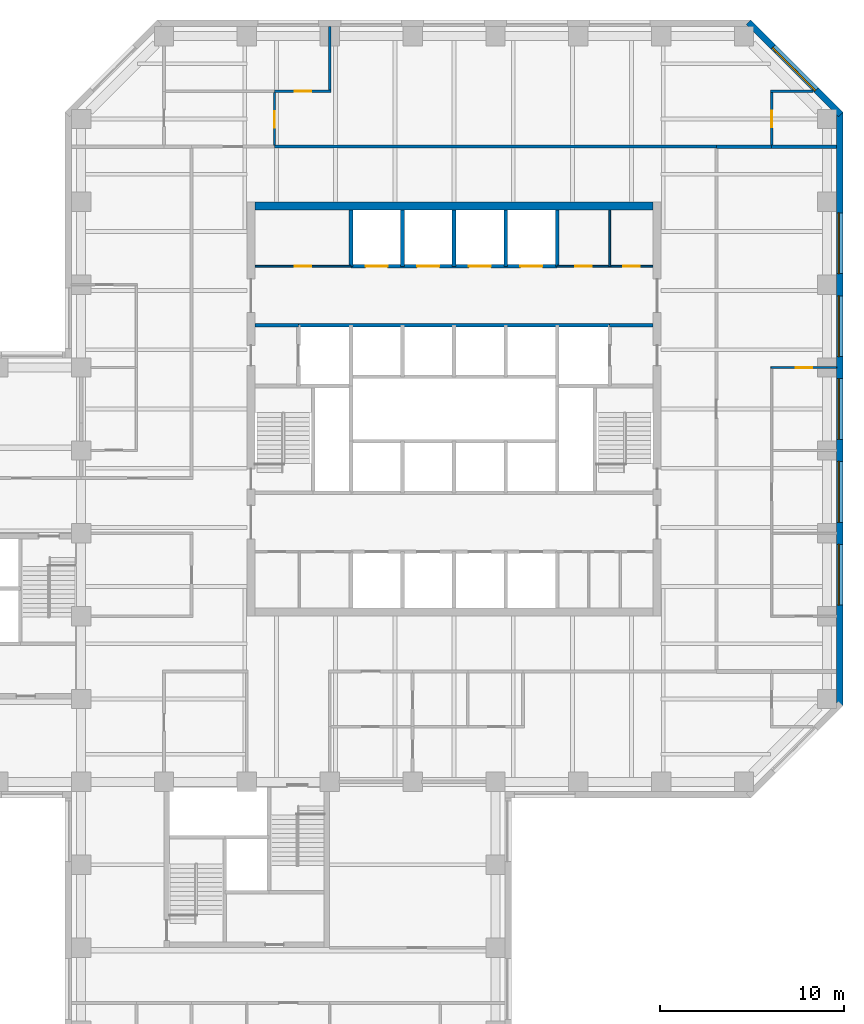
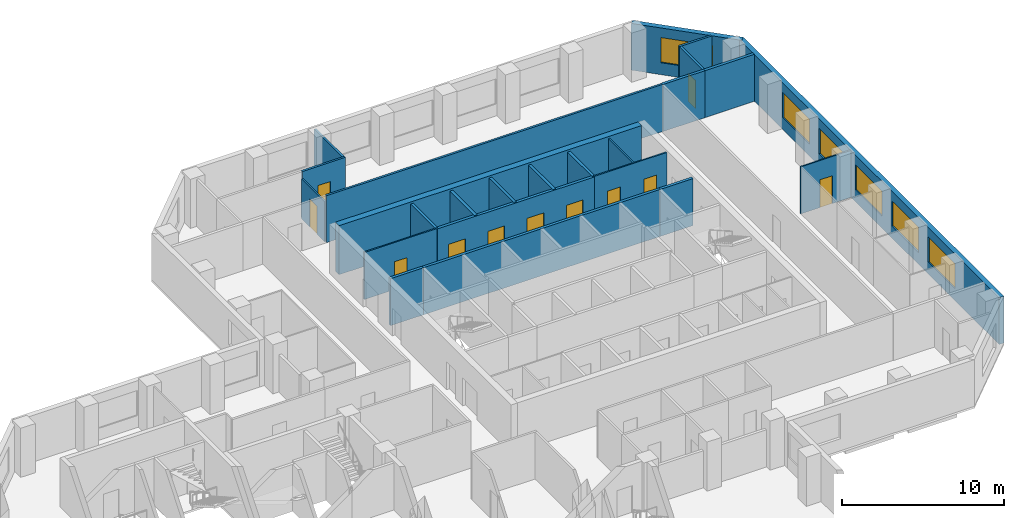
# One storey, part 8 of 10: 24 walls, 11 doors, 6 windows, 17 openings.
"""IFC4 building model written with IfcOpenShell, lengths in metres."""

from ifc_helpers import new_model, si_unit, direction, frame, frame_2d, origin, place, context, subcontext, project, spatial, rectangle, extrude, material, layer, layer_set, constituent, constituent_set, type_object, element, fill, save


model = new_model("IFC4")

# Units and contexts
model_context = context("Model", 3, precision=1e-05, world=origin(), true_north=direction((0.0, 1.0)))
body_context = subcontext(model_context, "Body", "Model", "MODEL_VIEW")
ifc_project = project(units=[si_unit("LENGTHUNIT", "METRE"), si_unit("AREAUNIT", "SQUARE_METRE"), si_unit("VOLUMEUNIT", "CUBIC_METRE"), si_unit("PLANEANGLEUNIT", "RADIAN"), si_unit("MASSUNIT", "GRAM", prefix="KILO")], contexts=[model_context])

# Site, building, storey
site_placement = place(None, origin())
site = spatial("IfcSite", under=ifc_project, at=site_placement, CompositionType="ELEMENT")
building_placement = place(site_placement, origin())
building = spatial("IfcBuilding", under=site, at=building_placement, Name="Quoin Convention Tower", CompositionType="ELEMENT")
storey_placement = place(building_placement, frame((0.0, 0.0, 86.300048828125)))
storey = spatial("IfcBuildingStorey", under=building, at=storey_placement, Name="L22", CompositionType="ELEMENT", Elevation=86.300048828125)

# Wall, opening, door
ifc_material_1 = material(Name="Plasterboard")
ifc_layer_1 = layer(ifc_material_1, 0.012451171875, Name="Finish")
ifc_material_2 = material(Name="Steel stud framing", Category="steel")
ifc_layer_2 = layer(ifc_material_2, 0.125, Name="Structure")
ifc_layer_3 = layer(ifc_material_1, 0.012451171875, Name="Finish")
ifc_layer_set_1 = layer_set([ifc_layer_1, ifc_layer_2, ifc_layer_3], Name="Steel stud framing")
wall_type_1 = type_object("IfcWallType", Name="Acoustic partition 150", PredefinedType="PARTITIONING", material=ifc_layer_set_1)
wall_1_placement = place(storey_placement, frame((46.5, 78.0, 0.0), z_axis=(0.0, 0.0, 1.0), x_axis=(1.0, 0.0, 0.0)))
wall_1 = element("IfcWall", 1, at=wall_1_placement, inside=storey, type_object=wall_type_1, Name="pw-L22-055", PredefinedType="PARTITIONING", context=body_context, shape_type="SweptSolid", body=[
    extrude(rectangle(XDim=3.074951171875, YDim=0.14990234375, at=frame_2d((1.53759765625, 0.0))), origin(), (0.0, 0.0, 1.0), 3.550048828125),
])
opening_1_placement = place(wall_1_placement, frame((1.10009765625, 0.0, 0.0)))
opening_1 = element("IfcOpeningElement", 2, at=opening_1_placement, cuts=wall_1, Name="Opening DOL2-18", PredefinedType="OPENING", context=body_context, shape_type="SweptSolid", body=[
    extrude(rectangle(XDim=0.89990234375, YDim=2.10009765625, at=frame_2d((0.449951171875, 1.050048828125))), frame((0.0, 0.0849609375, 0.0), z_axis=(0.0, -1.0, 0.0), x_axis=(1.0, 0.0, 0.0)), (0.0, 0.0, 1.0), 0.169921875),
])
ifc_material_3 = material(Name="Steel door leaf", Category="steel")
door_type_1 = type_object("IfcDoorType", Name="Office door 900 x 2100", OperationType="SINGLE_SWING_RIGHT", PredefinedType="DOOR", material=ifc_material_3)
door_1_placement = place(opening_1_placement, frame((0.89990234375, 0.0, 0.0), z_axis=(0.0, 0.0, 1.0), x_axis=(-1.0, 0.0, 0.0)))
door_1 = element("IfcDoor", 3, at=door_1_placement, inside=storey, type_object=door_type_1, Name="dr-L22-35", OperationType="SINGLE_SWING_LEFT", OverallHeight=2.10009765625, OverallWidth=0.89990234375, PredefinedType="DOOR", context=body_context, shape_type="SweptSolid", body=[
    extrude(rectangle(XDim=0.89990234375, YDim=2.10009765625, at=frame_2d((0.449951171875, 1.050048828125))), frame((0.0, 0.02490234375, 0.0), z_axis=(0.0, -1.0, 0.0), x_axis=(1.0, 0.0, 0.0)), (0.0, 0.0, 1.0), 0.050048828125),
])
fill(opening_1, door_1)

# Wall
wall_2_placement = place(storey_placement, frame((49.5, 78.074951171875, 0.0), z_axis=(0.0, 0.0, 1.0), x_axis=(0.0, 1.0, 0.0)))
element("IfcWall", 4, at=wall_2_placement, inside=storey, type_object=wall_type_1, Name="pw-L22-103", PredefinedType="PARTITIONING", context=body_context, shape_type="SweptSolid", body=[
    extrude(rectangle(XDim=3.449951171875, YDim=0.14990234375, at=frame_2d((1.72509765625, 0.0))), origin(), (0.0, 0.0, 1.0), 3.550048828125),
])

# Wall, openings, windows
ifc_material_4 = material(Name="Brick masonry", Category="masonry")
ifc_layer_4 = layer(ifc_material_4, 0.35009765625)
ifc_layer_set_2 = layer_set([ifc_layer_4], Name="Brick masonry")
wall_type_2 = type_object("IfcWallType", Name="Brick facade wall", PredefinedType="STANDARD", material=ifc_layer_set_2)
wall_3_placement = place(storey_placement, frame((77.199951171875, 44.6376953125, 0.0), z_axis=(0.0, 0.0, 1.0), x_axis=(0.0, 1.0, 0.0)))
wall_3 = element("IfcWall", 5, at=wall_3_placement, inside=storey, type_object=wall_type_2, Name="fw-L22-76500_45000", PredefinedType="STANDARD", context=body_context, shape_type="SweptSolid", body=[
    extrude(rectangle(XDim=32.224609375, YDim=0.35009765625, at=frame_2d((16.1123046875, 0.0))), origin(), (0.0, 0.0, 1.0), 3.52490234375),
])
opening_2_placement = place(wall_3_placement, frame((5.46240234375, 0.0, 0.89990234375)))
opening_2 = element("IfcOpeningElement", 6, at=opening_2_placement, cuts=wall_3, Name="Opening W-02", PredefinedType="OPENING", context=body_context, shape_type="SweptSolid", body=[
    extrude(rectangle(XDim=3.300048828125, YDim=1.89990234375, at=frame_2d((1.64990234375, 0.949951171875))), frame((0.0, 0.18505859375, 0.0), z_axis=(0.0, -1.0, 0.0), x_axis=(1.0, 0.0, 0.0)), (0.0, 0.0, 1.0), 0.3701171875),
])
opening_3_placement = place(wall_3_placement, frame((9.96240234375, 0.0, 0.89990234375)))
opening_3 = element("IfcOpeningElement", 7, at=opening_3_placement, cuts=wall_3, Name="Opening W-02", PredefinedType="OPENING", context=body_context, shape_type="SweptSolid", body=[
    extrude(rectangle(XDim=3.300048828125, YDim=1.89990234375, at=frame_2d((1.64990234375, 0.949951171875))), frame((0.0, 0.18505859375, 0.0), z_axis=(0.0, -1.0, 0.0), x_axis=(1.0, 0.0, 0.0)), (0.0, 0.0, 1.0), 0.3701171875),
])
opening_4_placement = place(wall_3_placement, frame((14.46240234375, 0.0, 0.89990234375)))
opening_4 = element("IfcOpeningElement", 8, at=opening_4_placement, cuts=wall_3, Name="Opening W-02", PredefinedType="OPENING", context=body_context, shape_type="SweptSolid", body=[
    extrude(rectangle(XDim=3.300048828125, YDim=1.89990234375, at=frame_2d((1.64990234375, 0.949951171875))), frame((0.0, 0.18505859375, 0.0), z_axis=(0.0, -1.0, 0.0), x_axis=(1.0, 0.0, 0.0)), (0.0, 0.0, 1.0), 0.3701171875),
])
opening_5_placement = place(wall_3_placement, frame((18.96240234375, 0.0, 0.89990234375)))
opening_5 = element("IfcOpeningElement", 9, at=opening_5_placement, cuts=wall_3, Name="Opening W-02", PredefinedType="OPENING", context=body_context, shape_type="SweptSolid", body=[
    extrude(rectangle(XDim=3.300048828125, YDim=1.89990234375, at=frame_2d((1.64990234375, 0.949951171875))), frame((0.0, 0.18505859375, 0.0), z_axis=(0.0, -1.0, 0.0), x_axis=(1.0, 0.0, 0.0)), (0.0, 0.0, 1.0), 0.3701171875),
])
opening_6_placement = place(wall_3_placement, frame((23.46240234375, 0.0, 0.89990234375)))
opening_6 = element("IfcOpeningElement", 10, at=opening_6_placement, cuts=wall_3, Name="Opening W-02", PredefinedType="OPENING", context=body_context, shape_type="SweptSolid", body=[
    extrude(rectangle(XDim=3.300048828125, YDim=1.89990234375, at=frame_2d((1.64990234375, 0.949951171875))), frame((0.0, 0.18505859375, 0.0), z_axis=(0.0, -1.0, 0.0), x_axis=(1.0, 0.0, 0.0)), (0.0, 0.0, 1.0), 0.3701171875),
])
ifc_material_5 = material(Name="Aluminium", Category="aluminium")
ifc_constituent_1 = constituent(ifc_material_5, Name="Frame")
ifc_material_6 = material(Name="Insulated glass", Category="glass")
ifc_constituent_2 = constituent(ifc_material_6, Name="Glazing")
ifc_constituent_set = constituent_set(constituents=[ifc_constituent_1, ifc_constituent_2], Name="Aluminium")
window_type = type_object("IfcWindowType", Name="Office window", PartitioningType="DOUBLE_PANEL_VERTICAL", PredefinedType="WINDOW", material=ifc_constituent_set)
window_1_placement = place(opening_2_placement, origin())
window_1 = element("IfcWindow", 11, at=window_1_placement, inside=storey, type_object=window_type, Name="win-L22-77200_51750", OverallHeight=1.89990234375, OverallWidth=3.300048828125, PartitioningType="SINGLE_PANEL", PredefinedType="WINDOW", context=body_context, shape_type="SweptSolid", body=[
    extrude(rectangle(XDim=3.300048828125, YDim=1.89990234375, at=frame_2d((1.64990234375, 0.949951171875))), frame((0.0, 0.0849609375, 0.0), z_axis=(0.0, -1.0, 0.0), x_axis=(1.0, 0.0, 0.0)), (0.0, 0.0, 1.0), 0.06005859375),
])
fill(opening_2, window_1)
window_2_placement = place(opening_3_placement, origin())
window_2 = element("IfcWindow", 12, at=window_2_placement, inside=storey, type_object=window_type, Name="win-L22-77200_56250", OverallHeight=1.89990234375, OverallWidth=3.300048828125, PartitioningType="SINGLE_PANEL", PredefinedType="WINDOW", context=body_context, shape_type="SweptSolid", body=[
    extrude(rectangle(XDim=3.300048828125, YDim=1.89990234375, at=frame_2d((1.64990234375, 0.949951171875))), frame((0.0, 0.0849609375, 0.0), z_axis=(0.0, -1.0, 0.0), x_axis=(1.0, 0.0, 0.0)), (0.0, 0.0, 1.0), 0.06005859375),
])
fill(opening_3, window_2)
window_3_placement = place(opening_4_placement, origin())
window_3 = element("IfcWindow", 13, at=window_3_placement, inside=storey, type_object=window_type, Name="win-L22-77200_60750", OverallHeight=1.89990234375, OverallWidth=3.300048828125, PartitioningType="SINGLE_PANEL", PredefinedType="WINDOW", context=body_context, shape_type="SweptSolid", body=[
    extrude(rectangle(XDim=3.300048828125, YDim=1.89990234375, at=frame_2d((1.64990234375, 0.949951171875))), frame((0.0, 0.0849609375, 0.0), z_axis=(0.0, -1.0, 0.0), x_axis=(1.0, 0.0, 0.0)), (0.0, 0.0, 1.0), 0.06005859375),
])
fill(opening_4, window_3)
window_4_placement = place(opening_5_placement, origin())
window_4 = element("IfcWindow", 14, at=window_4_placement, inside=storey, type_object=window_type, Name="win-L22-77200_65250", OverallHeight=1.89990234375, OverallWidth=3.300048828125, PartitioningType="SINGLE_PANEL", PredefinedType="WINDOW", context=body_context, shape_type="SweptSolid", body=[
    extrude(rectangle(XDim=3.300048828125, YDim=1.89990234375, at=frame_2d((1.64990234375, 0.949951171875))), frame((0.0, 0.0849609375, 0.0), z_axis=(0.0, -1.0, 0.0), x_axis=(1.0, 0.0, 0.0)), (0.0, 0.0, 1.0), 0.06005859375),
])
fill(opening_5, window_4)
window_5_placement = place(opening_6_placement, origin())
window_5 = element("IfcWindow", 15, at=window_5_placement, inside=storey, type_object=window_type, Name="win-L22-77200_69750", OverallHeight=1.89990234375, OverallWidth=3.300048828125, PartitioningType="SINGLE_PANEL", PredefinedType="WINDOW", context=body_context, shape_type="SweptSolid", body=[
    extrude(rectangle(XDim=3.300048828125, YDim=1.89990234375, at=frame_2d((1.64990234375, 0.949951171875))), frame((0.0, 0.0849609375, 0.0), z_axis=(0.0, -1.0, 0.0), x_axis=(1.0, 0.0, 0.0)), (0.0, 0.0, 1.0), 0.06005859375),
])
fill(opening_6, window_5)

# Wall, opening, window
wall_4_placement = place(storey_placement, frame((77.251220703125, 76.73876953125, 0.0), z_axis=(0.0, 0.0, 1.0), x_axis=(-0.707106781187, 0.707106781187, 0.0)))
wall_4 = element("IfcWall", 16, at=wall_4_placement, inside=storey, type_object=wall_type_2, Name="fw-L22-76500_76500", PredefinedType="STANDARD", context=body_context, shape_type="SweptSolid", body=[
    extrude(rectangle(XDim=7.088623046875, YDim=0.35009765625, at=frame_2d((3.54443359375, 0.0))), origin(), (0.0, 0.0, 1.0), 3.52490234375),
])
opening_7_placement = place(wall_4_placement, frame((1.894287109375, 0.0, 0.89990234375)))
opening_7 = element("IfcOpeningElement", 17, at=opening_7_placement, cuts=wall_4, Name="Opening W-02", PredefinedType="OPENING", context=body_context, shape_type="SweptSolid", body=[
    extrude(rectangle(XDim=3.300048828125, YDim=1.89990234375, at=frame_2d((1.64990234375, 0.949951171875))), frame((0.0, 0.18505859375, 0.0), z_axis=(0.0, -1.0, 0.0), x_axis=(1.0, 0.0, 0.0)), (0.0, 0.0, 1.0), 0.3701171875),
])
window_6_placement = place(opening_7_placement, origin())
window_6 = element("IfcWindow", 18, at=window_6_placement, inside=storey, type_object=window_type, Name="win-L22-74745_79245", OverallHeight=1.89990234375, OverallWidth=3.300048828125, PartitioningType="SINGLE_PANEL", PredefinedType="WINDOW", context=body_context, shape_type="SweptSolid", body=[
    extrude(rectangle(XDim=3.300048828125, YDim=1.89990234375, at=frame_2d((1.64990234375, 0.949951171875))), frame((0.0, 0.0849609375, 0.0), z_axis=(0.0, -1.0, 0.0), x_axis=(1.0, 0.0, 0.0)), (0.0, 0.0, 1.0), 0.06005859375),
])
fill(opening_7, window_6)

# Wall, opening, door
ifc_layer_5 = layer(ifc_material_1, 0.012451171875, Name="Finish")
ifc_layer_6 = layer(ifc_material_2, 0.074951171875, Name="Structure")
ifc_layer_7 = layer(ifc_material_1, 0.012451171875, Name="Finish")
ifc_layer_set_3 = layer_set([ifc_layer_5, ifc_layer_6, ifc_layer_7], Name="Steel stud framing")
wall_type_3 = type_object("IfcWallType", Name="Core partition wall", PredefinedType="PARTITIONING", material=ifc_layer_set_3)
wall_5_placement = place(storey_placement, frame((45.449951171875, 68.5, 0.0), z_axis=(0.0, 0.0, 1.0), x_axis=(1.0, 0.0, 0.0)))
wall_5 = element("IfcWall", 19, at=wall_5_placement, inside=storey, type_object=wall_type_3, Name="cr-C1-L22-h19000_450", PredefinedType="PARTITIONING", context=body_context, shape_type="SweptSolid", body=[
    extrude(rectangle(XDim=5.199951171875, YDim=0.10009765625, at=frame_2d((2.60009765625, 0.0))), origin(), (0.0, 0.0, 1.0), 3.550048828125),
])
opening_8_placement = place(wall_5_placement, frame((2.14990234375, 0.0, 0.0)))
opening_8 = element("IfcOpeningElement", 20, at=opening_8_placement, cuts=wall_5, Name="Opening DCV2-14", PredefinedType="OPENING", context=body_context, shape_type="SweptSolid", body=[
    extrude(rectangle(XDim=0.89990234375, YDim=2.10009765625, at=frame_2d((0.449951171875, 1.050048828125))), frame((0.0, 0.06005859375, 0.0), z_axis=(0.0, -1.0, 0.0), x_axis=(1.0, 0.0, 0.0)), (0.0, 0.0, 1.0), 0.1201171875),
])
door_type_2 = type_object("IfcDoorType", Name="Core room door 900 x 2100", OperationType="SINGLE_SWING_LEFT", PredefinedType="DOOR", material=ifc_material_3)
door_2_placement = place(opening_8_placement, origin())
door_2 = element("IfcDoor", 21, at=door_2_placement, inside=storey, type_object=door_type_2, Name="cd-C1-L22-CNW0-lobB-CD2209", OperationType="SINGLE_SWING_RIGHT", OverallHeight=2.10009765625, OverallWidth=0.89990234375, PredefinedType="DOOR", context=body_context, shape_type="SweptSolid", body=[
    extrude(rectangle(XDim=0.89990234375, YDim=2.10009765625, at=frame_2d((0.449951171875, 1.050048828125))), frame((0.0, 0.02490234375, 0.0), z_axis=(0.0, -1.0, 0.0), x_axis=(1.0, 0.0, 0.0)), (0.0, 0.0, 1.0), 0.050048828125),
])
fill(opening_8, door_2)

# Wall, openings, doors
wall_6_placement = place(storey_placement, frame((61.85009765625, 68.5, 0.0), z_axis=(0.0, 0.0, 1.0), x_axis=(1.0, 0.0, 0.0)))
wall_6 = element("IfcWall", 22, at=wall_6_placement, inside=storey, type_object=wall_type_3, Name="cr-C1-L22-h19000_16850", PredefinedType="PARTITIONING", context=body_context, shape_type="SweptSolid", body=[
    extrude(rectangle(XDim=5.199951171875, YDim=0.10009765625, at=frame_2d((2.60009765625, 0.0))), origin(), (0.0, 0.0, 1.0), 3.550048828125),
])
opening_9_placement = place(wall_6_placement, frame((3.580078125, 0.0, 0.0)))
opening_9 = element("IfcOpeningElement", 23, at=opening_9_placement, cuts=wall_6, Name="Opening DCV2-04", PredefinedType="OPENING", context=body_context, shape_type="SweptSolid", body=[
    extrude(rectangle(XDim=0.89990234375, YDim=2.10009765625, at=frame_2d((0.449951171875, 1.050048828125))), frame((0.0, 0.06005859375, 0.0), z_axis=(0.0, -1.0, 0.0), x_axis=(1.0, 0.0, 0.0)), (0.0, 0.0, 1.0), 0.1201171875),
])
opening_10_placement = place(wall_6_placement, frame((0.97998046875, 0.0, 0.0)))
opening_10 = element("IfcOpeningElement", 24, at=opening_10_placement, cuts=wall_6, Name="Opening DCV2-02", PredefinedType="OPENING", context=body_context, shape_type="SweptSolid", body=[
    extrude(rectangle(XDim=0.89990234375, YDim=2.10009765625, at=frame_2d((0.449951171875, 1.050048828125))), frame((0.0, 0.06005859375, 0.0), z_axis=(0.0, -1.0, 0.0), x_axis=(1.0, 0.0, 0.0)), (0.0, 0.0, 1.0), 0.1201171875),
])
door_3_placement = place(opening_9_placement, origin())
door_3 = element("IfcDoor", 25, at=door_3_placement, inside=storey, type_object=door_type_2, Name="cd-C1-L22-CNE0-lobB-CD2207", OperationType="SINGLE_SWING_RIGHT", OverallHeight=2.10009765625, OverallWidth=0.89990234375, PredefinedType="DOOR", context=body_context, shape_type="SweptSolid", body=[
    extrude(rectangle(XDim=0.89990234375, YDim=2.10009765625, at=frame_2d((0.449951171875, 1.050048828125))), frame((0.0, 0.02490234375, 0.0), z_axis=(0.0, -1.0, 0.0), x_axis=(1.0, 0.0, 0.0)), (0.0, 0.0, 1.0), 0.050048828125),
])
fill(opening_9, door_3)
door_4_placement = place(opening_10_placement, origin())
door_4 = element("IfcDoor", 26, at=door_4_placement, inside=storey, type_object=door_type_2, Name="cd-C1-L22-CNE1-lobB-CD2208", OperationType="SINGLE_SWING_RIGHT", OverallHeight=2.10009765625, OverallWidth=0.89990234375, PredefinedType="DOOR", context=body_context, shape_type="SweptSolid", body=[
    extrude(rectangle(XDim=0.89990234375, YDim=2.10009765625, at=frame_2d((0.449951171875, 1.050048828125))), frame((0.0, 0.02490234375, 0.0), z_axis=(0.0, -1.0, 0.0), x_axis=(1.0, 0.0, 0.0)), (0.0, 0.0, 1.0), 0.050048828125),
])
fill(opening_10, door_4)

# Walls
wall_7_placement = place(storey_placement, frame((64.7099609375, 68.5, 0.0), z_axis=(0.0, 0.0, 1.0), x_axis=(0.0, 1.0, 0.0)))
element("IfcWall", 27, at=wall_7_placement, inside=storey, type_object=wall_type_3, Name="cr-C1-L22-v19710_19000", PredefinedType="PARTITIONING", context=body_context, shape_type="SweptSolid", body=[
    extrude(rectangle(XDim=3.050048828125, YDim=0.10009765625, at=frame_2d((1.52490234375, 0.0))), origin(), (0.0, 0.0, 1.0), 3.550048828125),
])
ifc_material_7 = material(Name="Concrete C50", Category="concrete")
ifc_layer_8 = layer(ifc_material_7, 0.199951171875)
ifc_layer_set_4 = layer_set([ifc_layer_8], Name="Concrete C50")
wall_type_4 = type_object("IfcWallType", Name="Core shaft wall", PredefinedType="SOLIDWALL", material=ifc_layer_set_4)
for number, where, z_axis, x_axis, name in (
    (28, (45.449951171875, 65.300048828125, 0.0), (0.0, 0.0, 1.0), (1.0, 0.0, 0.0), "cr-C1-L22-h15800_450"),
    (29, (64.699951171875, 65.300048828125, 0.0), (0.0, 0.0, 1.0), (1.0, 0.0, 0.0), "cr-C1-L22-h15800_19700"),
):
    element("IfcWall", number, at=place(storey_placement, frame(where, z_axis=z_axis, x_axis=x_axis)), inside=storey, type_object=wall_type_4, Name=name, PredefinedType="SOLIDWALL", context=body_context, shape_type="SweptSolid", body=[
        extrude(rectangle(XDim=2.35009765625, YDim=0.199951171875, at=frame_2d((1.175048828125, 0.0))), origin(), (0.0, 0.0, 1.0), 3.550048828125),
    ])
wall_8_placement = place(storey_placement, frame((47.800048828125, 65.300048828125, 0.0), z_axis=(0.0, 0.0, 1.0), x_axis=(1.0, 0.0, 0.0)))
element("IfcWall", 30, at=wall_8_placement, inside=storey, type_object=wall_type_4, Name="cr-C1-L22-h15800_2800", PredefinedType="SOLIDWALL", context=body_context, shape_type="SweptSolid", body=[
    extrude(rectangle(XDim=16.89990234375, YDim=0.199951171875, at=frame_2d((8.449951171875, 0.0))), origin(), (0.0, 0.0, 1.0), 3.550048828125),
])

# Wall, openings, doors
wall_9_placement = place(storey_placement, frame((50.64990234375, 68.5, 0.0), z_axis=(0.0, 0.0, 1.0), x_axis=(1.0, 0.0, 0.0)))
wall_9 = element("IfcWall", 31, at=wall_9_placement, inside=storey, type_object=wall_type_4, Name="cr-C1-L22-h19000_5650", PredefinedType="SOLIDWALL", context=body_context, shape_type="SweptSolid", body=[
    extrude(rectangle(XDim=11.2001953125, YDim=0.199951171875, at=frame_2d((5.60009765625, 0.0))), origin(), (0.0, 0.0, 1.0), 3.550048828125),
])
opening_11_placement = place(wall_9_placement, frame((0.800048828125, 0.0, 0.0)))
opening_11 = element("IfcOpeningElement", 32, at=opening_11_placement, cuts=wall_9, Name="Opening LDL5", PredefinedType="OPENING", context=body_context, shape_type="SweptSolid", body=[
    extrude(rectangle(XDim=1.199951171875, YDim=2.10009765625, at=frame_2d((0.60009765625, 1.050048828125))), frame((0.0, 0.10986328125, 0.0), z_axis=(0.0, -1.0, 0.0), x_axis=(1.0, 0.0, 0.0)), (0.0, 0.0, 1.0), 0.219970703125),
])
opening_12_placement = place(wall_9_placement, frame((3.60009765625, 0.0, 0.0)))
opening_12 = element("IfcOpeningElement", 33, at=opening_12_placement, cuts=wall_9, Name="Opening LDL6", PredefinedType="OPENING", context=body_context, shape_type="SweptSolid", body=[
    extrude(rectangle(XDim=1.199951171875, YDim=2.10009765625, at=frame_2d((0.60009765625, 1.050048828125))), frame((0.0, 0.10986328125, 0.0), z_axis=(0.0, -1.0, 0.0), x_axis=(1.0, 0.0, 0.0)), (0.0, 0.0, 1.0), 0.219970703125),
])
opening_13_placement = place(wall_9_placement, frame((6.39990234375, 0.0, 0.0)))
opening_13 = element("IfcOpeningElement", 34, at=opening_13_placement, cuts=wall_9, Name="Opening LDL7", PredefinedType="OPENING", context=body_context, shape_type="SweptSolid", body=[
    extrude(rectangle(XDim=1.199951171875, YDim=2.10009765625, at=frame_2d((0.60009765625, 1.050048828125))), frame((0.0, 0.10986328125, 0.0), z_axis=(0.0, -1.0, 0.0), x_axis=(1.0, 0.0, 0.0)), (0.0, 0.0, 1.0), 0.219970703125),
])
opening_14_placement = place(wall_9_placement, frame((9.199951171875, 0.0, 0.0)))
opening_14 = element("IfcOpeningElement", 35, at=opening_14_placement, cuts=wall_9, Name="Opening LDL8", PredefinedType="OPENING", context=body_context, shape_type="SweptSolid", body=[
    extrude(rectangle(XDim=1.199951171875, YDim=2.10009765625, at=frame_2d((0.60009765625, 1.050048828125))), frame((0.0, 0.10986328125, 0.0), z_axis=(0.0, -1.0, 0.0), x_axis=(1.0, 0.0, 0.0)), (0.0, 0.0, 1.0), 0.219970703125),
])
door_type_3 = type_object("IfcDoorType", Name="Lift landing door 1200 x 2100", OperationType="DOUBLE_DOOR_SLIDING", PredefinedType="DOOR", material=ifc_material_3)
door_5_placement = place(opening_11_placement, origin())
door_5 = element("IfcDoor", 36, at=door_5_placement, inside=storey, type_object=door_type_3, Name="cd-C1-L22-R40-lobB-LDL5", OperationType="DOUBLE_DOOR_SLIDING", OverallHeight=2.10009765625, OverallWidth=1.199951171875, PredefinedType="DOOR", context=body_context, shape_type="SweptSolid", body=[
    extrude(rectangle(XDim=1.199951171875, YDim=2.10009765625, at=frame_2d((0.60009765625, 1.050048828125))), frame((0.0, 0.02490234375, 0.0), z_axis=(0.0, -1.0, 0.0), x_axis=(1.0, 0.0, 0.0)), (0.0, 0.0, 1.0), 0.050048828125),
])
fill(opening_11, door_5)
door_6_placement = place(opening_12_placement, origin())
door_6 = element("IfcDoor", 37, at=door_6_placement, inside=storey, type_object=door_type_3, Name="cd-C1-L22-R41-lobB-LDL6", OperationType="DOUBLE_DOOR_SLIDING", OverallHeight=2.10009765625, OverallWidth=1.199951171875, PredefinedType="DOOR", context=body_context, shape_type="SweptSolid", body=[
    extrude(rectangle(XDim=1.199951171875, YDim=2.10009765625, at=frame_2d((0.60009765625, 1.050048828125))), frame((0.0, 0.02490234375, 0.0), z_axis=(0.0, -1.0, 0.0), x_axis=(1.0, 0.0, 0.0)), (0.0, 0.0, 1.0), 0.050048828125),
])
fill(opening_12, door_6)
door_7_placement = place(opening_13_placement, origin())
door_7 = element("IfcDoor", 38, at=door_7_placement, inside=storey, type_object=door_type_3, Name="cd-C1-L22-R42-lobB-LDL7", OperationType="DOUBLE_DOOR_SLIDING", OverallHeight=2.10009765625, OverallWidth=1.199951171875, PredefinedType="DOOR", context=body_context, shape_type="SweptSolid", body=[
    extrude(rectangle(XDim=1.199951171875, YDim=2.10009765625, at=frame_2d((0.60009765625, 1.050048828125))), frame((0.0, 0.02490234375, 0.0), z_axis=(0.0, -1.0, 0.0), x_axis=(1.0, 0.0, 0.0)), (0.0, 0.0, 1.0), 0.050048828125),
])
fill(opening_13, door_7)
door_8_placement = place(opening_14_placement, origin())
door_8 = element("IfcDoor", 39, at=door_8_placement, inside=storey, type_object=door_type_3, Name="cd-C1-L22-R43-lobB-LDL8", OperationType="DOUBLE_DOOR_SLIDING", OverallHeight=2.10009765625, OverallWidth=1.199951171875, PredefinedType="DOOR", context=body_context, shape_type="SweptSolid", body=[
    extrude(rectangle(XDim=1.199951171875, YDim=2.10009765625, at=frame_2d((0.60009765625, 1.050048828125))), frame((0.0, 0.02490234375, 0.0), z_axis=(0.0, -1.0, 0.0), x_axis=(1.0, 0.0, 0.0)), (0.0, 0.0, 1.0), 0.050048828125),
])
fill(opening_14, door_8)

# Walls
for number, where, z_axis, x_axis, name in (
    (40, (50.64990234375, 68.5, 0.0), (0.0, 0.0, 1.0), (0.0, 1.0, 0.0), "cr-C1-L22-v5650_19000"),
    (41, (53.449951171875, 68.5, 0.0), (0.0, 0.0, 1.0), (0.0, 1.0, 0.0), "cr-C1-L22-v8450_19000"),
    (42, (56.25, 68.5, 0.0), (0.0, 0.0, 1.0), (0.0, 1.0, 0.0), "cr-C1-L22-v11250_19000"),
    (43, (59.050048828125, 68.5, 0.0), (0.0, 0.0, 1.0), (0.0, 1.0, 0.0), "cr-C1-L22-v14050_19000"),
    (44, (61.85009765625, 68.5, 0.0), (0.0, 0.0, 1.0), (0.0, 1.0, 0.0), "cr-C1-L22-v16850_19000"),
):
    element("IfcWall", number, at=place(storey_placement, frame(where, z_axis=z_axis, x_axis=x_axis)), inside=storey, type_object=wall_type_4, Name=name, PredefinedType="SOLIDWALL", context=body_context, shape_type="SweptSolid", body=[
        extrude(rectangle(XDim=3.050048828125, YDim=0.199951171875, at=frame_2d((1.52490234375, 0.0))), origin(), (0.0, 0.0, 1.0), 3.550048828125),
    ])
ifc_layer_9 = layer(ifc_material_1, 0.012451171875, Name="Finish")
ifc_layer_10 = layer(ifc_material_2, 0.125, Name="Structure")
ifc_layer_11 = layer(ifc_material_1, 0.012451171875, Name="Finish")
ifc_layer_set_5 = layer_set([ifc_layer_9, ifc_layer_10, ifc_layer_11], Name="Steel stud framing")
wall_type_5 = type_object("IfcWallType", Name="Corridor wall 150", PredefinedType="PARTITIONING", material=ifc_layer_set_5)
wall_10_placement = place(storey_placement, frame((46.5, 75.0, 0.0), z_axis=(0.0, 0.0, 1.0), x_axis=(1.0, 0.0, 0.0)))
element("IfcWall", 45, at=wall_10_placement, inside=storey, type_object=wall_type_5, Name="pw-L22-051", PredefinedType="PARTITIONING", context=body_context, shape_type="SweptSolid", body=[
    extrude(rectangle(XDim=24.0, YDim=0.14990234375, at=frame_2d((12.0, 0.0))), origin(), (0.0, 0.0, 1.0), 3.550048828125),
])
ifc_material_8 = material(Name="Concrete C65", Category="concrete")
ifc_layer_12 = layer(ifc_material_8, 0.449951171875)
ifc_layer_set_6 = layer_set([ifc_layer_12], Name="Concrete C65")
wall_type_6 = type_object("IfcWallType", Name="RC CORE WALL 450 C65", PredefinedType="SHEAR", material=ifc_layer_set_6)
wall_11_placement = place(storey_placement, frame((45.449951171875, 71.77490234375, 0.0), z_axis=(0.0, 0.0, 1.0), x_axis=(1.0, 0.0, 0.0)))
element("IfcWall", 46, at=wall_11_placement, inside=storey, type_object=wall_type_6, Name="cwl-C1-L22-N", PredefinedType="SHEAR", context=body_context, shape_type="SweptSolid", body=[
    extrude(rectangle(XDim=21.60009765625, YDim=0.449951171875, at=frame_2d((10.800048828125, 0.0))), origin(), (0.0, 0.0, 1.0), 3.699951171875),
])

# Wall, opening, door
ifc_layer_13 = layer(ifc_material_1, 0.012451171875, Name="Finish")
ifc_layer_14 = layer(ifc_material_2, 0.074951171875, Name="Structure")
ifc_layer_15 = layer(ifc_material_1, 0.012451171875, Name="Finish")
ifc_layer_set_7 = layer_set([ifc_layer_13, ifc_layer_14, ifc_layer_15], Name="Steel stud framing")
wall_type_7 = type_object("IfcWallType", Name="Stud partition 100", PredefinedType="PARTITIONING", material=ifc_layer_set_7)
wall_12_placement = place(storey_placement, frame((73.449951171875, 63.0, 0.0), z_axis=(0.0, 0.0, 1.0), x_axis=(1.0, 0.0, 0.0)))
wall_12 = element("IfcWall", 47, at=wall_12_placement, inside=storey, type_object=wall_type_7, Name="pw-L22-046", PredefinedType="PARTITIONING", context=body_context, shape_type="SweptSolid", body=[
    extrude(rectangle(XDim=3.574951171875, YDim=0.10009765625, at=frame_2d((1.78759765625, 0.0))), origin(), (0.0, 0.0, 1.0), 3.550048828125),
])
opening_15_placement = place(wall_12_placement, frame((1.35009765625, 0.0, 0.0)))
opening_15 = element("IfcOpeningElement", 48, at=opening_15_placement, cuts=wall_12, Name="Opening DOL2-15", PredefinedType="OPENING", context=body_context, shape_type="SweptSolid", body=[
    extrude(rectangle(XDim=0.89990234375, YDim=2.10009765625, at=frame_2d((0.449951171875, 1.050048828125))), frame((0.0, 0.06005859375, 0.0), z_axis=(0.0, -1.0, 0.0), x_axis=(1.0, 0.0, 0.0)), (0.0, 0.0, 1.0), 0.1201171875),
])
door_9_placement = place(opening_15_placement, origin())
door_9 = element("IfcDoor", 49, at=door_9_placement, inside=storey, type_object=door_type_1, Name="dr-L22-30", OperationType="SINGLE_SWING_RIGHT", OverallHeight=2.10009765625, OverallWidth=0.89990234375, PredefinedType="DOOR", context=body_context, shape_type="SweptSolid", body=[
    extrude(rectangle(XDim=0.89990234375, YDim=2.10009765625, at=frame_2d((0.449951171875, 1.050048828125))), frame((0.0, 0.02490234375, 0.0), z_axis=(0.0, -1.0, 0.0), x_axis=(1.0, 0.0, 0.0)), (0.0, 0.0, 1.0), 0.050048828125),
])
fill(opening_15, door_9)

ifc_layer_16 = layer(ifc_material_1, 0.012451171875, Name="Finish")
ifc_layer_17 = layer(ifc_material_2, 0.074951171875, Name="Structure")
ifc_layer_18 = layer(ifc_material_1, 0.012451171875, Name="Finish")
ifc_layer_set_8 = layer_set([ifc_layer_16, ifc_layer_17, ifc_layer_18], Name="Steel stud framing")
wall_type_8 = type_object("IfcWallType", Name="Stud partition 100 under beam 528", PredefinedType="PARTITIONING", material=ifc_layer_set_8)
wall_13_placement = place(storey_placement, frame((46.5, 75.074951171875, 0.0), z_axis=(0.0, 0.0, 1.0), x_axis=(0.0, 1.0, 0.0)))
wall_13 = element("IfcWall", 50, at=wall_13_placement, inside=storey, type_object=wall_type_8, Name="pw-L22-099", PredefinedType="PARTITIONING", context=body_context, shape_type="SweptSolid", body=[
    extrude(rectangle(XDim=2.85009765625, YDim=0.10009765625, at=frame_2d((1.425048828125, 0.0))), origin(), (0.0, 0.0, 1.0), 3.02197265625),
])
opening_16_placement = place(wall_13_placement, frame((0.949951171875, 0.0, 0.0)))
opening_16 = element("IfcOpeningElement", 51, at=opening_16_placement, cuts=wall_13, Name="Opening DOL2-28", PredefinedType="OPENING", context=body_context, shape_type="SweptSolid", body=[
    extrude(rectangle(XDim=0.89990234375, YDim=2.10009765625, at=frame_2d((0.449951171875, 1.050048828125))), frame((0.0, 0.06005859375, 0.0), z_axis=(0.0, -1.0, 0.0), x_axis=(1.0, 0.0, 0.0)), (0.0, 0.0, 1.0), 0.1201171875),
])
door_10_placement = place(opening_16_placement, frame((0.89990234375, 0.0, 0.0), z_axis=(0.0, 0.0, 1.0), x_axis=(-1.0, 0.0, 0.0)))
door_10 = element("IfcDoor", 52, at=door_10_placement, inside=storey, type_object=door_type_1, Name="dr-L22-32", OperationType="SINGLE_SWING_LEFT", OverallHeight=2.10009765625, OverallWidth=0.89990234375, PredefinedType="DOOR", context=body_context, shape_type="SweptSolid", body=[
    extrude(rectangle(XDim=0.89990234375, YDim=2.10009765625, at=frame_2d((0.449951171875, 1.050048828125))), frame((0.0, 0.02490234375, 0.0), z_axis=(0.0, -1.0, 0.0), x_axis=(1.0, 0.0, 0.0)), (0.0, 0.0, 1.0), 0.050048828125),
])
fill(opening_16, door_10)

# Walls
ifc_layer_19 = layer(ifc_material_1, 0.012451171875, Name="Finish")
ifc_layer_20 = layer(ifc_material_2, 0.175048828125, Name="Structure")
ifc_layer_21 = layer(ifc_material_1, 0.012451171875, Name="Finish")
ifc_layer_set_9 = layer_set([ifc_layer_19, ifc_layer_20, ifc_layer_21], Name="Steel stud framing")
wall_type_9 = type_object("IfcWallType", Name="Tenancy demising wall 200", PredefinedType="PARTITIONING", material=ifc_layer_set_9)
wall_14_placement = place(storey_placement, frame((70.5, 75.0, 0.0), z_axis=(0.0, 0.0, 1.0), x_axis=(1.0, 0.0, 0.0)))
element("IfcWall", 53, at=wall_14_placement, inside=storey, type_object=wall_type_9, Name="pw-L22-052", PredefinedType="PARTITIONING", context=body_context, shape_type="SweptSolid", body=[
    extrude(rectangle(XDim=3.0, YDim=0.199951171875, at=frame_2d((1.5, 0.0))), origin(), (0.0, 0.0, 1.0), 3.550048828125),
])
wall_15_placement = place(storey_placement, frame((73.5, 75.0, 0.0), z_axis=(0.0, 0.0, 1.0), x_axis=(1.0, 0.0, 0.0)))
element("IfcWall", 54, at=wall_15_placement, inside=storey, type_object=wall_type_9, Name="pw-L22-053", PredefinedType="PARTITIONING", context=body_context, shape_type="SweptSolid", body=[
    extrude(rectangle(XDim=3.52490234375, YDim=0.199951171875, at=frame_2d((1.762451171875, 0.0))), origin(), (0.0, 0.0, 1.0), 3.550048828125),
])
ifc_layer_22 = layer(ifc_material_1, 0.012451171875, Name="Finish")
ifc_layer_23 = layer(ifc_material_2, 0.125, Name="Structure")
ifc_layer_24 = layer(ifc_material_1, 0.012451171875, Name="Finish")
ifc_layer_set_10 = layer_set([ifc_layer_22, ifc_layer_23, ifc_layer_24], Name="Steel stud framing")
wall_type_10 = type_object("IfcWallType", Name="Wet area partition 150", PredefinedType="PARTITIONING", material=ifc_layer_set_10)
wall_16_placement = place(storey_placement, frame((73.425048828125, 78.0, 0.0), z_axis=(0.0, 0.0, 1.0), x_axis=(1.0, 0.0, 0.0)))
element("IfcWall", 55, at=wall_16_placement, inside=storey, type_object=wall_type_10, Name="pw-L22-056", PredefinedType="PARTITIONING", context=body_context, shape_type="SweptSolid", body=[
    extrude(rectangle(XDim=2.3173828125, YDim=0.14990234375, at=frame_2d((1.15869140625, 0.0))), origin(), (0.0, 0.0, 1.0), 3.550048828125),
])

# Wall, opening, door
wall_17_placement = place(storey_placement, frame((73.5, 75.10009765625, 0.0), z_axis=(0.0, 0.0, 1.0), x_axis=(0.0, 1.0, 0.0)))
wall_17 = element("IfcWall", 56, at=wall_17_placement, inside=storey, type_object=wall_type_10, Name="pw-L22-101", PredefinedType="PARTITIONING", context=body_context, shape_type="SweptSolid", body=[
    extrude(rectangle(XDim=2.824951171875, YDim=0.14990234375, at=frame_2d((1.41259765625, 0.0))), origin(), (0.0, 0.0, 1.0), 3.550048828125),
])
opening_17_placement = place(wall_17_placement, frame((0.949951171875, 0.0, 0.0)))
opening_17 = element("IfcOpeningElement", 57, at=opening_17_placement, cuts=wall_17, Name="Opening DOL2-30", PredefinedType="OPENING", context=body_context, shape_type="SweptSolid", body=[
    extrude(rectangle(XDim=0.89990234375, YDim=2.10009765625, at=frame_2d((0.449951171875, 1.050048828125))), frame((0.0, 0.0849609375, 0.0), z_axis=(0.0, -1.0, 0.0), x_axis=(1.0, 0.0, 0.0)), (0.0, 0.0, 1.0), 0.169921875),
])
door_11_placement = place(opening_17_placement, origin())
door_11 = element("IfcDoor", 58, at=door_11_placement, inside=storey, type_object=door_type_1, Name="dr-L22-33", OperationType="SINGLE_SWING_RIGHT", OverallHeight=2.10009765625, OverallWidth=0.89990234375, PredefinedType="DOOR", context=body_context, shape_type="SweptSolid", body=[
    extrude(rectangle(XDim=0.89990234375, YDim=2.10009765625, at=frame_2d((0.449951171875, 1.050048828125))), frame((0.0, 0.02490234375, 0.0), z_axis=(0.0, -1.0, 0.0), x_axis=(1.0, 0.0, 0.0)), (0.0, 0.0, 1.0), 0.050048828125),
])
fill(opening_17, door_11)

save(model, "model.ifc")
